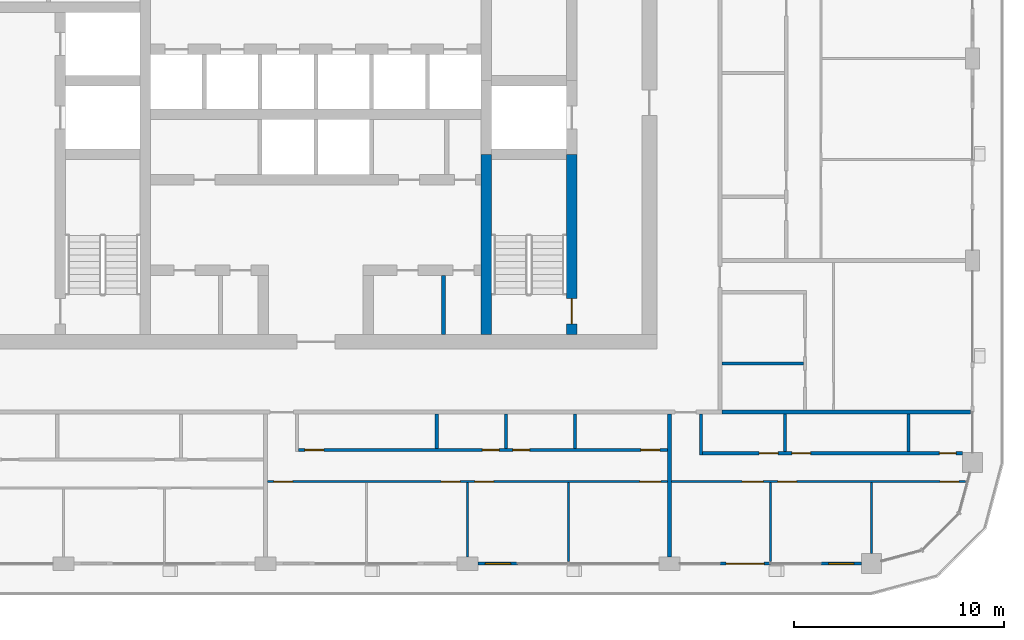
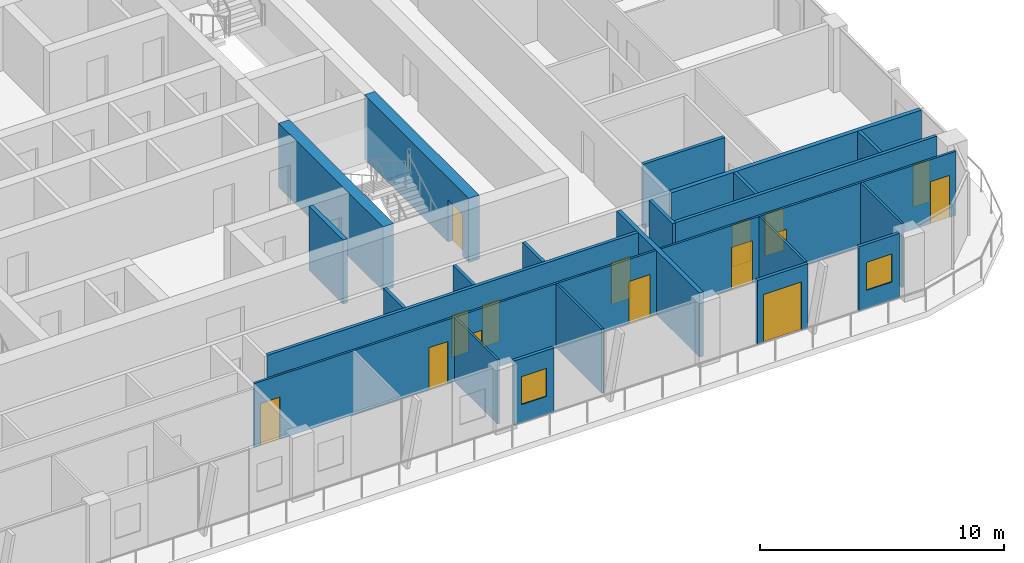
# One storey, part 12 of 23: 23 walls, 16 doors, 2 windows, 18 openings.
"""IFC4 building model written with IfcOpenShell, lengths in metres."""

from ifc_helpers import new_model, si_unit, direction, frame, frame_2d, origin, place, context, subcontext, project, spatial, rectangle, extrude, material, layer, layer_set, type_object, element, fill, save


model = new_model("IFC4")

# Units and contexts
model_context = context("Model", 3, precision=1e-05, world=origin(), true_north=direction((0.0, 1.0)))
body_context = subcontext(model_context, "Body", "Model", "MODEL_VIEW")
ifc_project = project(units=[si_unit("LENGTHUNIT", "METRE"), si_unit("AREAUNIT", "SQUARE_METRE"), si_unit("VOLUMEUNIT", "CUBIC_METRE"), si_unit("PLANEANGLEUNIT", "RADIAN"), si_unit("MASSUNIT", "GRAM", prefix="KILO")], contexts=[model_context])

# Site, building, storey
site_placement = place(None, origin())
site = spatial("IfcSite", under=ifc_project, at=site_placement, CompositionType="ELEMENT")
building_placement = place(site_placement, origin())
building = spatial("IfcBuilding", under=site, at=building_placement, Name="Madar Terraces", CompositionType="ELEMENT")
storey_placement = place(building_placement, frame((0.0, 0.0, 226.300048828125)))
storey = spatial("IfcBuildingStorey", under=building, at=storey_placement, Name="L59", CompositionType="ELEMENT", Elevation=226.300048828125)

# Wall
ifc_material_1 = material(Name="Concrete C60/75", Category="concrete")
ifc_layer_1 = layer(ifc_material_1, 0.5)
ifc_layer_set_1 = layer_set([ifc_layer_1], Name="Concrete C60/75 (CIW4 RC wall 500)")
wall_type_1 = type_object("IfcWallType", Name="CIW4 RC wall 500", PredefinedType="SHEAR", material=ifc_layer_set_1)
wall_1_placement = place(storey_placement, frame((39.300048828125, 15.699951171875, 0.0), z_axis=(0.0, 0.0, 1.0), x_axis=(0.0, 1.0, 0.0)))
element("IfcWall", 1, at=wall_1_placement, inside=storey, type_object=wall_type_1, Name="CORE SHAFT WALL", PredefinedType="SHEAR", context=body_context, shape_type="SweptSolid", body=[
    extrude(rectangle(XDim=8.550048828125, YDim=0.5, at=frame_2d((4.27490234375, 0.0))), origin(), (0.0, 0.0, 1.0), 3.199951171875),
])

# Wall, opening, door
wall_2_placement = place(storey_placement, frame((43.35009765625, 15.699951171875, 0.0), z_axis=(0.0, 0.0, 1.0), x_axis=(0.0, 1.0, 0.0)))
wall_2 = element("IfcWall", 2, at=wall_2_placement, inside=storey, type_object=wall_type_1, Name="CORE SHAFT WALL", PredefinedType="SHEAR", context=body_context, shape_type="SweptSolid", body=[
    extrude(rectangle(XDim=8.550048828125, YDim=0.5, at=frame_2d((4.27490234375, 0.0))), origin(), (0.0, 0.0, 1.0), 3.199951171875),
])
opening_1_placement = place(wall_2_placement, frame((0.5, 0.0, 0.0)))
opening_1 = element("IfcOpeningElement", 3, at=opening_1_placement, cuts=wall_2, Name="Opening SD1", PredefinedType="OPENING", context=body_context, shape_type="SweptSolid", body=[
    extrude(rectangle(XDim=1.199951171875, YDim=2.10009765625, at=frame_2d((0.60009765625, 1.050048828125))), frame((0.0, 0.260009765625, 0.0), z_axis=(0.0, -1.0, 0.0), x_axis=(1.0, 0.0, 0.0)), (0.0, 0.0, 1.0), 0.52001953125),
])
ifc_material_2 = material(Name="Steel door leaf", Category="steel")
door_type_1 = type_object("IfcDoorType", Name="Stair door 1200 x 2100", OperationType="NOTDEFINED", PredefinedType="DOOR", material=ifc_material_2)
door_1_placement = place(opening_1_placement, origin())
door_1 = element("IfcDoor", 4, at=door_1_placement, inside=storey, type_object=door_type_1, Name="STAIR DOOR", OperationType="SINGLE_SWING_RIGHT", OverallHeight=2.10009765625, OverallWidth=1.199951171875, PredefinedType="DOOR", context=body_context, shape_type="SweptSolid", body=[
    extrude(rectangle(XDim=1.199951171875, YDim=2.10009765625, at=frame_2d((0.60009765625, 1.050048828125))), frame((0.0, 0.02490234375, 0.0), z_axis=(0.0, -1.0, 0.0), x_axis=(1.0, 0.0, 0.0)), (0.0, 0.0, 1.0), 0.050048828125),
])
fill(opening_1, door_1)

# Wall
ifc_material_3 = material(Name="Masonry blockwork", Category="masonry")
ifc_layer_2 = layer(ifc_material_3, 0.199951171875)
ifc_layer_set_2 = layer_set([ifc_layer_2], Name="Core partition 200 blockwork")
wall_type_2 = type_object("IfcWallType", Name="Core partition 200 blockwork", PredefinedType="PARTITIONING", material=ifc_layer_set_2)
wall_3_placement = place(storey_placement, frame((37.264892578125, 15.699951171875, 0.0), z_axis=(0.0, 0.0, 1.0), x_axis=(0.0, 1.0, 0.0)))
element("IfcWall", 5, at=wall_3_placement, inside=storey, type_object=wall_type_2, Name="SERVICE ROOM PARTITION", PredefinedType="PARTITIONING", context=body_context, shape_type="SweptSolid", body=[
    extrude(rectangle(XDim=2.800048828125, YDim=0.199951171875, at=frame_2d((1.39990234375, 0.0))), origin(), (0.0, 0.0, 1.0), 3.199951171875),
])

# Wall, opening, window
ifc_material_4 = material(Name="Aluminium composite panel, black, over insulated backing", Category="aluminium")
ifc_layer_3 = layer(ifc_material_4, 0.14990234375)
ifc_layer_set_3 = layer_set([ifc_layer_3], Name="Facade bay panel 150")
wall_type_3 = type_object("IfcWallType", Name="Facade bay panel 150", PredefinedType="SOLIDWALL", material=ifc_layer_set_3)
wall_4_placement = place(storey_placement, frame((38.89990234375, 4.800048828125, 0.0), z_axis=(0.0, 0.0, 1.0), x_axis=(1.0, 0.0, 0.0)))
wall_4 = element("IfcWall", 6, at=wall_4_placement, inside=storey, type_object=wall_type_3, Name="Facade bay panel", PredefinedType="SOLIDWALL", context=body_context, shape_type="SweptSolid", body=[
    extrude(rectangle(XDim=1.900146484375, YDim=0.14990234375, at=frame_2d((0.9501953125, 0.0))), origin(), (0.0, 0.0, 1.0), 3.199951171875),
])
opening_2_placement = place(wall_4_placement, frame((0.35009765625, 0.0, 0.89990234375)))
opening_2 = element("IfcOpeningElement", 7, at=opening_2_placement, cuts=wall_4, Name="Opening W1", PredefinedType="OPENING", context=body_context, shape_type="SweptSolid", body=[
    extrude(rectangle(XDim=1.199951171875, YDim=1.39990234375, at=frame_2d((0.60009765625, 0.699951171875))), frame((0.0, 0.0849609375, 0.0), z_axis=(0.0, -1.0, 0.0), x_axis=(1.0, 0.0, 0.0)), (0.0, 0.0, 1.0), 0.169921875),
])
ifc_material_5 = material(Name="Glass, clear, with black aluminium frame", Category="aluminium")
window_type = type_object("IfcWindowType", Name="Vent window 1200 x 1400", PartitioningType="SINGLE_PANEL", PredefinedType="WINDOW", material=ifc_material_5)
window_1_placement = place(opening_2_placement, origin())
window_1 = element("IfcWindow", 8, at=window_1_placement, inside=storey, type_object=window_type, Name="Operable vent window", OverallHeight=1.39990234375, OverallWidth=1.199951171875, PartitioningType="SINGLE_PANEL", PredefinedType="WINDOW", context=body_context, shape_type="SweptSolid", body=[
    extrude(rectangle(XDim=1.199951171875, YDim=1.39990234375, at=frame_2d((0.60009765625, 0.699951171875))), frame((0.0, 0.030029296875, 0.0), z_axis=(0.0, -1.0, 0.0), x_axis=(1.0, 0.0, 0.0)), (0.0, 0.0, 1.0), 0.06005859375),
])
fill(opening_2, window_1)

# Wall, opening, door
wall_5_placement = place(storey_placement, frame((50.39990234375, 4.800048828125, 0.0), z_axis=(0.0, 0.0, 1.0), x_axis=(1.0, 0.0, 0.0)))
wall_5 = element("IfcWall", 9, at=wall_5_placement, inside=storey, type_object=wall_type_3, Name="Facade bay panel", PredefinedType="SOLIDWALL", context=body_context, shape_type="SweptSolid", body=[
    extrude(rectangle(XDim=2.400146484375, YDim=0.14990234375, at=frame_2d((1.2001953125, 0.0))), origin(), (0.0, 0.0, 1.0), 3.199951171875),
])
opening_3_placement = place(wall_5_placement, frame((0.300048828125, 0.0, 0.0)))
opening_3 = element("IfcOpeningElement", 10, at=opening_3_placement, cuts=wall_5, Name="Opening ED1", PredefinedType="OPENING", context=body_context, shape_type="SweptSolid", body=[
    extrude(rectangle(XDim=1.800048828125, YDim=2.39990234375, at=frame_2d((0.89990234375, 1.199951171875))), frame((0.0, 0.0849609375, 0.0), z_axis=(0.0, -1.0, 0.0), x_axis=(1.0, 0.0, 0.0)), (0.0, 0.0, 1.0), 0.169921875),
])
ifc_material_6 = material(Name="Glass, clear, with black aluminium frame", Category="aluminium")
door_type_2 = type_object("IfcDoorType", Name="Balcony and terrace sliding door 1800 x 2400", OperationType="SLIDING_TO_LEFT", PredefinedType="DOOR", material=ifc_material_6)
door_2_placement = place(opening_3_placement, origin())
door_2 = element("IfcDoor", 11, at=door_2_placement, inside=storey, type_object=door_type_2, Name="Balcony door", OperationType="SLIDING_TO_RIGHT", OverallHeight=2.39990234375, OverallWidth=1.800048828125, PredefinedType="DOOR", context=body_context, shape_type="SweptSolid", body=[
    extrude(rectangle(XDim=1.800048828125, YDim=2.39990234375, at=frame_2d((0.89990234375, 1.199951171875))), frame((0.0, 0.02490234375, 0.0), z_axis=(0.0, -1.0, 0.0), x_axis=(1.0, 0.0, 0.0)), (0.0, 0.0, 1.0), 0.050048828125),
])
fill(opening_3, door_2)

# Wall, opening, window
wall_6_placement = place(storey_placement, frame((55.199951171875, 4.800048828125, 0.0), z_axis=(0.0, 0.0, 1.0), x_axis=(1.0, 0.0, 0.0)))
wall_6 = element("IfcWall", 12, at=wall_6_placement, inside=storey, type_object=wall_type_3, Name="Facade bay panel", PredefinedType="SOLIDWALL", context=body_context, shape_type="SweptSolid", body=[
    extrude(rectangle(XDim=1.925048828125, YDim=0.14990234375, at=frame_2d((0.96240234375, 0.0))), origin(), (0.0, 0.0, 1.0), 3.199951171875),
])
opening_4_placement = place(wall_6_placement, frame((0.362548828125, 0.0, 0.89990234375)))
opening_4 = element("IfcOpeningElement", 13, at=opening_4_placement, cuts=wall_6, Name="Opening W1", PredefinedType="OPENING", context=body_context, shape_type="SweptSolid", body=[
    extrude(rectangle(XDim=1.199951171875, YDim=1.39990234375, at=frame_2d((0.60009765625, 0.699951171875))), frame((0.0, 0.0849609375, 0.0), z_axis=(0.0, -1.0, 0.0), x_axis=(1.0, 0.0, 0.0)), (0.0, 0.0, 1.0), 0.169921875),
])
window_2_placement = place(opening_4_placement, origin())
window_2 = element("IfcWindow", 14, at=window_2_placement, inside=storey, type_object=window_type, Name="Operable vent window", OverallHeight=1.39990234375, OverallWidth=1.199951171875, PartitioningType="SINGLE_PANEL", PredefinedType="WINDOW", context=body_context, shape_type="SweptSolid", body=[
    extrude(rectangle(XDim=1.199951171875, YDim=1.39990234375, at=frame_2d((0.60009765625, 0.699951171875))), frame((0.0, 0.030029296875, 0.0), z_axis=(0.0, -1.0, 0.0), x_axis=(1.0, 0.0, 0.0)), (0.0, 0.0, 1.0), 0.06005859375),
])
fill(opening_4, window_2)

# Walls
ifc_material_7 = material(Name="Gypsum board on steel studs", Category="steel")
ifc_layer_4 = layer(ifc_material_7, 0.10009765625)
ifc_layer_set_4 = layer_set([ifc_layer_4], Name="Flat partition 100")
wall_type_4 = type_object("IfcWallType", Name="Flat partition 100", PredefinedType="PARTITIONING", material=ifc_layer_set_4)
wall_7_placement = place(storey_placement, frame((38.39990234375, 8.64990234375, 0.0), z_axis=(0.0, 0.0, 1.0), x_axis=(0.0, -1.0, 0.0)))
element("IfcWall", 15, at=wall_7_placement, inside=storey, type_object=wall_type_4, Name="Flat partition 100", PredefinedType="PARTITIONING", context=body_context, shape_type="SweptSolid", body=[
    extrude(rectangle(XDim=3.52490234375, YDim=0.10009765625, at=frame_2d((1.762451171875, 0.0))), origin(), (0.0, 0.0, 1.0), 3.199951171875),
])
wall_8_placement = place(storey_placement, frame((43.199951171875, 8.64990234375, 0.0), z_axis=(0.0, 0.0, 1.0), x_axis=(0.0, -1.0, 0.0)))
element("IfcWall", 16, at=wall_8_placement, inside=storey, type_object=wall_type_4, Name="Flat partition 100", PredefinedType="PARTITIONING", context=body_context, shape_type="SweptSolid", body=[
    extrude(rectangle(XDim=3.75, YDim=0.10009765625, at=frame_2d((1.875, 0.0))), origin(), (0.0, 0.0, 1.0), 3.199951171875),
])

# Wall, openings, doors
wall_9_placement = place(storey_placement, frame((47.89990234375, 8.699951171875, 0.0), z_axis=(0.0, 0.0, 1.0), x_axis=(-1.0, 0.0, 0.0)))
wall_9 = element("IfcWall", 17, at=wall_9_placement, inside=storey, type_object=wall_type_4, Name="Flat partition 100", PredefinedType="PARTITIONING", context=body_context, shape_type="SweptSolid", body=[
    extrude(rectangle(XDim=19.0, YDim=0.10009765625, at=frame_2d((9.5, 0.0))), origin(), (0.0, 0.0, 1.0), 3.199951171875),
])
opening_5_placement = place(wall_9_placement, frame((17.800048828125, 0.0, 0.0)))
opening_5 = element("IfcOpeningElement", 18, at=opening_5_placement, cuts=wall_9, Name="Opening D2", PredefinedType="OPENING", context=body_context, shape_type="SweptSolid", body=[
    extrude(rectangle(XDim=0.89990234375, YDim=2.10009765625, at=frame_2d((0.449951171875, 1.050048828125))), frame((0.0, 0.06005859375, 0.0), z_axis=(0.0, -1.0, 0.0), x_axis=(1.0, 0.0, 0.0)), (0.0, 0.0, 1.0), 0.1201171875),
])
opening_6_placement = place(wall_9_placement, frame((9.85009765625, 0.0, 0.0)))
opening_6 = element("IfcOpeningElement", 19, at=opening_6_placement, cuts=wall_9, Name="Opening D2", PredefinedType="OPENING", context=body_context, shape_type="SweptSolid", body=[
    extrude(rectangle(XDim=0.89990234375, YDim=2.10009765625, at=frame_2d((0.449951171875, 1.050048828125))), frame((0.0, 0.06005859375, 0.0), z_axis=(0.0, -1.0, 0.0), x_axis=(1.0, 0.0, 0.0)), (0.0, 0.0, 1.0), 0.1201171875),
])
opening_7_placement = place(wall_9_placement, frame((8.25, 0.0, 0.0)))
opening_7 = element("IfcOpeningElement", 20, at=opening_7_placement, cuts=wall_9, Name="Opening D2", PredefinedType="OPENING", context=body_context, shape_type="SweptSolid", body=[
    extrude(rectangle(XDim=0.89990234375, YDim=2.10009765625, at=frame_2d((0.449951171875, 1.050048828125))), frame((0.0, 0.06005859375, 0.0), z_axis=(0.0, -1.0, 0.0), x_axis=(1.0, 0.0, 0.0)), (0.0, 0.0, 1.0), 0.1201171875),
])
opening_8_placement = place(wall_9_placement, frame((0.300048828125, 0.0, 0.0)))
opening_8 = element("IfcOpeningElement", 21, at=opening_8_placement, cuts=wall_9, Name="Opening D3", PredefinedType="OPENING", context=body_context, shape_type="SweptSolid", body=[
    extrude(rectangle(XDim=1.0, YDim=2.10009765625, at=frame_2d((0.5, 1.050048828125))), frame((0.0, 0.06005859375, 0.0), z_axis=(0.0, -1.0, 0.0), x_axis=(1.0, 0.0, 0.0)), (0.0, 0.0, 1.0), 0.1201171875),
])
ifc_material_8 = material(Name="Timber door leaf", Category="wood")
door_type_3 = type_object("IfcDoorType", Name="Flat living room door 1000", OperationType="NOTDEFINED", PredefinedType="DOOR", material=ifc_material_8)
door_3_placement = place(opening_8_placement, origin())
door_3 = element("IfcDoor", 22, at=door_3_placement, inside=storey, type_object=door_type_3, Name="Flat living room door 1000", OperationType="SINGLE_SWING_LEFT", OverallHeight=2.10009765625, OverallWidth=1.0, PredefinedType="DOOR", context=body_context, shape_type="SweptSolid", body=[
    extrude(rectangle(XDim=1.0, YDim=2.10009765625, at=frame_2d((0.5, 1.050048828125))), frame((0.0, 0.02490234375, 0.0), z_axis=(0.0, -1.0, 0.0), x_axis=(1.0, 0.0, 0.0)), (0.0, 0.0, 1.0), 0.050048828125),
])
fill(opening_8, door_3)
ifc_material_9 = material(Name="Timber door leaf", Category="wood")
door_type_4 = type_object("IfcDoorType", Name="Flat room door 900", OperationType="NOTDEFINED", PredefinedType="DOOR", material=ifc_material_9)
door_4_placement = place(opening_5_placement, origin())
door_4 = element("IfcDoor", 23, at=door_4_placement, inside=storey, type_object=door_type_4, Name="Flat room door 900", OperationType="SINGLE_SWING_RIGHT", OverallHeight=2.10009765625, OverallWidth=0.89990234375, PredefinedType="DOOR", context=body_context, shape_type="SweptSolid", body=[
    extrude(rectangle(XDim=0.89990234375, YDim=2.10009765625, at=frame_2d((0.449951171875, 1.050048828125))), frame((0.0, 0.02490234375, 0.0), z_axis=(0.0, -1.0, 0.0), x_axis=(1.0, 0.0, 0.0)), (0.0, 0.0, 1.0), 0.050048828125),
])
fill(opening_5, door_4)
door_5_placement = place(opening_6_placement, origin())
door_5 = element("IfcDoor", 24, at=door_5_placement, inside=storey, type_object=door_type_4, Name="Flat room door 900", OperationType="SINGLE_SWING_LEFT", OverallHeight=2.10009765625, OverallWidth=0.89990234375, PredefinedType="DOOR", context=body_context, shape_type="SweptSolid", body=[
    extrude(rectangle(XDim=0.89990234375, YDim=2.10009765625, at=frame_2d((0.449951171875, 1.050048828125))), frame((0.0, 0.02490234375, 0.0), z_axis=(0.0, -1.0, 0.0), x_axis=(1.0, 0.0, 0.0)), (0.0, 0.0, 1.0), 0.050048828125),
])
fill(opening_6, door_5)
door_6_placement = place(opening_7_placement, origin())
door_6 = element("IfcDoor", 25, at=door_6_placement, inside=storey, type_object=door_type_4, Name="Flat room door 900", OperationType="SINGLE_SWING_RIGHT", OverallHeight=2.10009765625, OverallWidth=0.89990234375, PredefinedType="DOOR", context=body_context, shape_type="SweptSolid", body=[
    extrude(rectangle(XDim=0.89990234375, YDim=2.10009765625, at=frame_2d((0.449951171875, 1.050048828125))), frame((0.0, 0.02490234375, 0.0), z_axis=(0.0, -1.0, 0.0), x_axis=(1.0, 0.0, 0.0)), (0.0, 0.0, 1.0), 0.050048828125),
])
fill(opening_7, door_6)

# Walls
wall_10_placement = place(storey_placement, frame((52.800048828125, 8.64990234375, 0.0), z_axis=(0.0, 0.0, 1.0), x_axis=(0.0, -1.0, 0.0)))
element("IfcWall", 26, at=wall_10_placement, inside=storey, type_object=wall_type_4, Name="Flat partition 100", PredefinedType="PARTITIONING", context=body_context, shape_type="SweptSolid", body=[
    extrude(rectangle(XDim=3.75, YDim=0.10009765625, at=frame_2d((1.875, 0.0))), origin(), (0.0, 0.0, 1.0), 3.199951171875),
])
wall_11_placement = place(storey_placement, frame((57.60009765625, 8.64990234375, 0.0), z_axis=(0.0, 0.0, 1.0), x_axis=(0.0, -1.0, 0.0)))
element("IfcWall", 27, at=wall_11_placement, inside=storey, type_object=wall_type_4, Name="Flat partition 100", PredefinedType="PARTITIONING", context=body_context, shape_type="SweptSolid", body=[
    extrude(rectangle(XDim=3.375, YDim=0.10009765625, at=frame_2d((1.6875, 0.0))), origin(), (0.0, 0.0, 1.0), 3.199951171875),
])

# Wall, openings, doors
wall_12_placement = place(storey_placement, frame((62.058837890625, 8.699951171875, 0.0), z_axis=(0.0, 0.0, 1.0), x_axis=(-1.0, 0.0, 0.0)))
wall_12 = element("IfcWall", 28, at=wall_12_placement, inside=storey, type_object=wall_type_4, Name="Flat partition 100", PredefinedType="PARTITIONING", context=body_context, shape_type="SweptSolid", body=[
    extrude(rectangle(XDim=13.958740234375, YDim=0.10009765625, at=frame_2d((6.9794921875, 0.0))), origin(), (0.0, 0.0, 1.0), 3.199951171875),
])
opening_9_placement = place(wall_12_placement, frame((9.60888671875, 0.0, 0.0)))
opening_9 = element("IfcOpeningElement", 29, at=opening_9_placement, cuts=wall_12, Name="Opening D3", PredefinedType="OPENING", context=body_context, shape_type="SweptSolid", body=[
    extrude(rectangle(XDim=1.0, YDim=2.10009765625, at=frame_2d((0.5, 1.050048828125))), frame((0.0, 0.06005859375, 0.0), z_axis=(0.0, -1.0, 0.0), x_axis=(1.0, 0.0, 0.0)), (0.0, 0.0, 1.0), 0.1201171875),
])
opening_10_placement = place(wall_12_placement, frame((8.0087890625, 0.0, 0.0)))
opening_10 = element("IfcOpeningElement", 30, at=opening_10_placement, cuts=wall_12, Name="Opening D2", PredefinedType="OPENING", context=body_context, shape_type="SweptSolid", body=[
    extrude(rectangle(XDim=0.89990234375, YDim=2.10009765625, at=frame_2d((0.449951171875, 1.050048828125))), frame((0.0, 0.06005859375, 0.0), z_axis=(0.0, -1.0, 0.0), x_axis=(1.0, 0.0, 0.0)), (0.0, 0.0, 1.0), 0.1201171875),
])
opening_11_placement = place(wall_12_placement, frame((0.300048828125, 0.0, 0.0)))
opening_11 = element("IfcOpeningElement", 31, at=opening_11_placement, cuts=wall_12, Name="Opening D2", PredefinedType="OPENING", context=body_context, shape_type="SweptSolid", body=[
    extrude(rectangle(XDim=0.89990234375, YDim=2.10009765625, at=frame_2d((0.449951171875, 1.050048828125))), frame((0.0, 0.06005859375, 0.0), z_axis=(0.0, -1.0, 0.0), x_axis=(1.0, 0.0, 0.0)), (0.0, 0.0, 1.0), 0.1201171875),
])
door_7_placement = place(opening_9_placement, origin())
door_7 = element("IfcDoor", 32, at=door_7_placement, inside=storey, type_object=door_type_3, Name="Flat living room door 1000", OperationType="SINGLE_SWING_LEFT", OverallHeight=2.10009765625, OverallWidth=1.0, PredefinedType="DOOR", context=body_context, shape_type="SweptSolid", body=[
    extrude(rectangle(XDim=1.0, YDim=2.10009765625, at=frame_2d((0.5, 1.050048828125))), frame((0.0, 0.02490234375, 0.0), z_axis=(0.0, -1.0, 0.0), x_axis=(1.0, 0.0, 0.0)), (0.0, 0.0, 1.0), 0.050048828125),
])
fill(opening_9, door_7)
door_8_placement = place(opening_10_placement, origin())
door_8 = element("IfcDoor", 33, at=door_8_placement, inside=storey, type_object=door_type_4, Name="Flat room door 900", OperationType="SINGLE_SWING_RIGHT", OverallHeight=2.10009765625, OverallWidth=0.89990234375, PredefinedType="DOOR", context=body_context, shape_type="SweptSolid", body=[
    extrude(rectangle(XDim=0.89990234375, YDim=2.10009765625, at=frame_2d((0.449951171875, 1.050048828125))), frame((0.0, 0.02490234375, 0.0), z_axis=(0.0, -1.0, 0.0), x_axis=(1.0, 0.0, 0.0)), (0.0, 0.0, 1.0), 0.050048828125),
])
fill(opening_10, door_8)
door_9_placement = place(opening_11_placement, origin())
door_9 = element("IfcDoor", 34, at=door_9_placement, inside=storey, type_object=door_type_4, Name="Flat room door 900", OperationType="SINGLE_SWING_LEFT", OverallHeight=2.10009765625, OverallWidth=0.89990234375, PredefinedType="DOOR", context=body_context, shape_type="SweptSolid", body=[
    extrude(rectangle(XDim=0.89990234375, YDim=2.10009765625, at=frame_2d((0.449951171875, 1.050048828125))), frame((0.0, 0.02490234375, 0.0), z_axis=(0.0, -1.0, 0.0), x_axis=(1.0, 0.0, 0.0)), (0.0, 0.0, 1.0), 0.050048828125),
])
fill(opening_11, door_9)

# Walls
ifc_material_10 = material(Name="Lightweight blockwork", Category="masonry")
ifc_layer_5 = layer(ifc_material_10, 0.199951171875)
ifc_layer_set_5 = layer_set([ifc_layer_5], Name="Flat party and entrance wall 200")
wall_type_5 = type_object("IfcWallType", Name="Flat party and entrance wall 200", PredefinedType="PARTITIONING", material=ifc_layer_set_5)
wall_13_placement = place(storey_placement, frame((48.0, 11.89990234375, 0.0), z_axis=(0.0, 0.0, 1.0), x_axis=(0.0, -1.0, 0.0)))
element("IfcWall", 35, at=wall_13_placement, inside=storey, type_object=wall_type_5, Name="Flat party and entrance wall 200", PredefinedType="PARTITIONING", context=body_context, shape_type="SweptSolid", body=[
    extrude(rectangle(XDim=6.77490234375, YDim=0.199951171875, at=frame_2d((3.387451171875, 0.0))), origin(), (0.0, 0.0, 1.0), 3.199951171875),
])
wall_14_placement = place(storey_placement, frame((50.5, 12.0, 0.0), z_axis=(0.0, 0.0, 1.0), x_axis=(1.0, 0.0, 0.0)))
element("IfcWall", 36, at=wall_14_placement, inside=storey, type_object=wall_type_5, Name="Flat party and entrance wall 200", PredefinedType="PARTITIONING", context=body_context, shape_type="SweptSolid", body=[
    extrude(rectangle(XDim=11.800048828125, YDim=0.199951171875, at=frame_2d((5.89990234375, 0.0))), origin(), (0.0, 0.0, 1.0), 3.199951171875),
])
ifc_material_11 = material(Name="Lightweight blockwork", Category="masonry")
ifc_layer_6 = layer(ifc_material_11, 0.14990234375)
ifc_layer_set_6 = layer_set([ifc_layer_6], Name="Flat wet-room partition 150")
wall_type_6 = type_object("IfcWallType", Name="Flat wet-room partition 150", PredefinedType="PARTITIONING", material=ifc_layer_set_6)
for number, where, z_axis, x_axis, name in (
    (37, (36.947021484375, 11.89990234375, 0.0), (0.0, 0.0, 1.0), (0.0, -1.0, 0.0), "Flat wet-room partition 150"),
    (38, (40.23291015625, 11.89990234375, 0.0), (0.0, 0.0, 1.0), (0.0, -1.0, 0.0), "Flat wet-room partition 150"),
    (39, (43.518798828125, 11.89990234375, 0.0), (0.0, 0.0, 1.0), (0.0, -1.0, 0.0), "Flat wet-room partition 150"),
):
    element("IfcWall", number, at=place(storey_placement, frame(where, z_axis=z_axis, x_axis=x_axis)), inside=storey, type_object=wall_type_6, Name=name, PredefinedType="PARTITIONING", context=body_context, shape_type="SweptSolid", body=[
        extrude(rectangle(XDim=1.625, YDim=0.14990234375, at=frame_2d((0.8125, 0.0))), origin(), (0.0, 0.0, 1.0), 3.199951171875),
    ])

# Wall, openings, doors
wall_15_placement = place(storey_placement, frame((30.375, 10.199951171875, 0.0), z_axis=(0.0, 0.0, 1.0), x_axis=(1.0, 0.0, 0.0)))
wall_15 = element("IfcWall", 40, at=wall_15_placement, inside=storey, type_object=wall_type_6, Name="Flat wet-room partition 150", PredefinedType="PARTITIONING", context=body_context, shape_type="SweptSolid", body=[
    extrude(rectangle(XDim=17.52490234375, YDim=0.14990234375, at=frame_2d((8.762451171875, 0.0))), origin(), (0.0, 0.0, 1.0), 3.199951171875),
])
opening_12_placement = place(wall_15_placement, frame((0.300048828125, 0.0, 0.0)))
opening_12 = element("IfcOpeningElement", 41, at=opening_12_placement, cuts=wall_15, Name="Opening D2", PredefinedType="OPENING", context=body_context, shape_type="SweptSolid", body=[
    extrude(rectangle(XDim=0.89990234375, YDim=2.10009765625, at=frame_2d((0.449951171875, 1.050048828125))), frame((0.0, 0.0849609375, 0.0), z_axis=(0.0, -1.0, 0.0), x_axis=(1.0, 0.0, 0.0)), (0.0, 0.0, 1.0), 0.169921875),
])
opening_13_placement = place(wall_15_placement, frame((8.73291015625, 0.0, 0.0)))
opening_13 = element("IfcOpeningElement", 42, at=opening_13_placement, cuts=wall_15, Name="Opening D4", PredefinedType="OPENING", context=body_context, shape_type="SweptSolid", body=[
    extrude(rectangle(XDim=0.800048828125, YDim=2.10009765625, at=frame_2d((0.39990234375, 1.050048828125))), frame((0.0, 0.0849609375, 0.0), z_axis=(0.0, -1.0, 0.0), x_axis=(1.0, 0.0, 0.0)), (0.0, 0.0, 1.0), 0.169921875),
])
opening_14_placement = place(wall_15_placement, frame((10.182861328125, 0.0, 0.0)))
opening_14 = element("IfcOpeningElement", 43, at=opening_14_placement, cuts=wall_15, Name="Opening D7", PredefinedType="OPENING", context=body_context, shape_type="SweptSolid", body=[
    extrude(rectangle(XDim=0.800048828125, YDim=2.10009765625, at=frame_2d((0.39990234375, 1.050048828125))), frame((0.0, 0.0849609375, 0.0), z_axis=(0.0, -1.0, 0.0), x_axis=(1.0, 0.0, 0.0)), (0.0, 0.0, 1.0), 0.169921875),
])
opening_15_placement = place(wall_15_placement, frame((16.27490234375, 0.0, 0.0)))
opening_15 = element("IfcOpeningElement", 44, at=opening_15_placement, cuts=wall_15, Name="Opening D5", PredefinedType="OPENING", context=body_context, shape_type="SweptSolid", body=[
    extrude(rectangle(XDim=0.89990234375, YDim=2.10009765625, at=frame_2d((0.449951171875, 1.050048828125))), frame((0.0, 0.0849609375, 0.0), z_axis=(0.0, -1.0, 0.0), x_axis=(1.0, 0.0, 0.0)), (0.0, 0.0, 1.0), 0.169921875),
])
ifc_material_12 = material(Name="Timber door leaf", Category="wood")
door_type_5 = type_object("IfcDoorType", Name="Flat accessible bathroom door 900", OperationType="NOTDEFINED", PredefinedType="DOOR", material=ifc_material_12)
door_10_placement = place(opening_15_placement, origin())
door_10 = element("IfcDoor", 45, at=door_10_placement, inside=storey, type_object=door_type_5, Name="Flat accessible bathroom door 900", OperationType="SINGLE_SWING_RIGHT", OverallHeight=2.10009765625, OverallWidth=0.89990234375, PredefinedType="DOOR", context=body_context, shape_type="SweptSolid", body=[
    extrude(rectangle(XDim=0.89990234375, YDim=2.10009765625, at=frame_2d((0.449951171875, 1.050048828125))), frame((0.0, 0.02490234375, 0.0), z_axis=(0.0, -1.0, 0.0), x_axis=(1.0, 0.0, 0.0)), (0.0, 0.0, 1.0), 0.050048828125),
])
fill(opening_15, door_10)
ifc_material_13 = material(Name="Timber door leaf", Category="wood")
door_type_6 = type_object("IfcDoorType", Name="Flat bathroom door 800", OperationType="NOTDEFINED", PredefinedType="DOOR", material=ifc_material_13)
door_11_placement = place(opening_13_placement, origin())
door_11 = element("IfcDoor", 46, at=door_11_placement, inside=storey, type_object=door_type_6, Name="Flat bathroom door 800", OperationType="SINGLE_SWING_RIGHT", OverallHeight=2.10009765625, OverallWidth=0.800048828125, PredefinedType="DOOR", context=body_context, shape_type="SweptSolid", body=[
    extrude(rectangle(XDim=0.800048828125, YDim=2.10009765625, at=frame_2d((0.39990234375, 1.050048828125))), frame((0.0, 0.02490234375, 0.0), z_axis=(0.0, -1.0, 0.0), x_axis=(1.0, 0.0, 0.0)), (0.0, 0.0, 1.0), 0.050048828125),
])
fill(opening_13, door_11)
door_12_placement = place(opening_12_placement, origin())
door_12 = element("IfcDoor", 47, at=door_12_placement, inside=storey, type_object=door_type_4, Name="Flat room door 900", OperationType="SINGLE_SWING_LEFT", OverallHeight=2.10009765625, OverallWidth=0.89990234375, PredefinedType="DOOR", context=body_context, shape_type="SweptSolid", body=[
    extrude(rectangle(XDim=0.89990234375, YDim=2.10009765625, at=frame_2d((0.449951171875, 1.050048828125))), frame((0.0, 0.02490234375, 0.0), z_axis=(0.0, -1.0, 0.0), x_axis=(1.0, 0.0, 0.0)), (0.0, 0.0, 1.0), 0.050048828125),
])
fill(opening_12, door_12)
ifc_material_14 = material(Name="Timber door leaf", Category="wood")
door_type_7 = type_object("IfcDoorType", Name="Flat utility door 800", OperationType="NOTDEFINED", PredefinedType="DOOR", material=ifc_material_14)
door_13_placement = place(opening_14_placement, origin())
door_13 = element("IfcDoor", 48, at=door_13_placement, inside=storey, type_object=door_type_7, Name="Flat utility door 800", OperationType="SINGLE_SWING_LEFT", OverallHeight=2.10009765625, OverallWidth=0.800048828125, PredefinedType="DOOR", context=body_context, shape_type="SweptSolid", body=[
    extrude(rectangle(XDim=0.800048828125, YDim=2.10009765625, at=frame_2d((0.39990234375, 1.050048828125))), frame((0.0, 0.02490234375, 0.0), z_axis=(0.0, -1.0, 0.0), x_axis=(1.0, 0.0, 0.0)), (0.0, 0.0, 1.0), 0.050048828125),
])
fill(opening_14, door_13)

# Walls
for number, where, z_axis, x_axis, name in (
    (49, (53.490478515625, 11.89990234375, 0.0), (0.0, 0.0, 1.0), (0.0, -1.0, 0.0), "Flat wet-room partition 150"),
    (50, (59.363525390625, 11.89990234375, 0.0), (0.0, 0.0, 1.0), (0.0, -1.0, 0.0), "Flat wet-room partition 150"),
):
    element("IfcWall", number, at=place(storey_placement, frame(where, z_axis=z_axis, x_axis=x_axis)), inside=storey, type_object=wall_type_6, Name=name, PredefinedType="PARTITIONING", context=body_context, shape_type="SweptSolid", body=[
        extrude(rectangle(XDim=1.77490234375, YDim=0.14990234375, at=frame_2d((0.887451171875, 0.0))), origin(), (0.0, 0.0, 1.0), 3.199951171875),
    ])
wall_16_placement = place(storey_placement, frame((49.5, 11.89990234375, 0.0), z_axis=(0.0, 0.0, 1.0), x_axis=(0.0, -1.0, 0.0)))
element("IfcWall", 51, at=wall_16_placement, inside=storey, type_object=wall_type_6, Name="Flat wet-room partition 150", PredefinedType="PARTITIONING", context=body_context, shape_type="SweptSolid", body=[
    extrude(rectangle(XDim=1.9248046875, YDim=0.14990234375, at=frame_2d((0.96240234375, 0.0))), origin(), (0.0, 0.0, 1.0), 3.199951171875),
])

# Wall, openings, doors
wall_17_placement = place(storey_placement, frame((49.574951171875, 10.050048828125, 0.0), z_axis=(0.0, 0.0, 1.0), x_axis=(1.0, 0.0, 0.0)))
wall_17 = element("IfcWall", 52, at=wall_17_placement, inside=storey, type_object=wall_type_6, Name="Flat wet-room partition 150", PredefinedType="PARTITIONING", context=body_context, shape_type="SweptSolid", body=[
    extrude(rectangle(XDim=12.35009765625, YDim=0.14990234375, at=frame_2d((6.175048828125, 0.0))), origin(), (0.0, 0.0, 1.0), 3.199951171875),
])
opening_16_placement = place(wall_17_placement, frame((2.6904296875, 0.0, 0.0)))
opening_16 = element("IfcOpeningElement", 53, at=opening_16_placement, cuts=wall_17, Name="Opening D5", PredefinedType="OPENING", context=body_context, shape_type="SweptSolid", body=[
    extrude(rectangle(XDim=0.89990234375, YDim=2.10009765625, at=frame_2d((0.449951171875, 1.050048828125))), frame((0.0, 0.0849609375, 0.0), z_axis=(0.0, -1.0, 0.0), x_axis=(1.0, 0.0, 0.0)), (0.0, 0.0, 1.0), 0.169921875),
])
opening_17_placement = place(wall_17_placement, frame((4.240478515625, 0.0, 0.0)))
opening_17 = element("IfcOpeningElement", 54, at=opening_17_placement, cuts=wall_17, Name="Opening D2", PredefinedType="OPENING", context=body_context, shape_type="SweptSolid", body=[
    extrude(rectangle(XDim=0.89990234375, YDim=2.10009765625, at=frame_2d((0.449951171875, 1.050048828125))), frame((0.0, 0.0849609375, 0.0), z_axis=(0.0, -1.0, 0.0), x_axis=(1.0, 0.0, 0.0)), (0.0, 0.0, 1.0), 0.169921875),
])
opening_18_placement = place(wall_17_placement, frame((11.25, 0.0, 0.0)))
opening_18 = element("IfcOpeningElement", 55, at=opening_18_placement, cuts=wall_17, Name="Opening D4", PredefinedType="OPENING", context=body_context, shape_type="SweptSolid", body=[
    extrude(rectangle(XDim=0.800048828125, YDim=2.10009765625, at=frame_2d((0.39990234375, 1.050048828125))), frame((0.0, 0.0849609375, 0.0), z_axis=(0.0, -1.0, 0.0), x_axis=(1.0, 0.0, 0.0)), (0.0, 0.0, 1.0), 0.169921875),
])
door_14_placement = place(opening_16_placement, origin())
door_14 = element("IfcDoor", 56, at=door_14_placement, inside=storey, type_object=door_type_5, Name="Flat accessible bathroom door 900", OperationType="SINGLE_SWING_RIGHT", OverallHeight=2.10009765625, OverallWidth=0.89990234375, PredefinedType="DOOR", context=body_context, shape_type="SweptSolid", body=[
    extrude(rectangle(XDim=0.89990234375, YDim=2.10009765625, at=frame_2d((0.449951171875, 1.050048828125))), frame((0.0, 0.02490234375, 0.0), z_axis=(0.0, -1.0, 0.0), x_axis=(1.0, 0.0, 0.0)), (0.0, 0.0, 1.0), 0.050048828125),
])
fill(opening_16, door_14)
door_15_placement = place(opening_18_placement, origin())
door_15 = element("IfcDoor", 57, at=door_15_placement, inside=storey, type_object=door_type_6, Name="Flat bathroom door 800", OperationType="SINGLE_SWING_RIGHT", OverallHeight=2.10009765625, OverallWidth=0.800048828125, PredefinedType="DOOR", context=body_context, shape_type="SweptSolid", body=[
    extrude(rectangle(XDim=0.800048828125, YDim=2.10009765625, at=frame_2d((0.39990234375, 1.050048828125))), frame((0.0, 0.02490234375, 0.0), z_axis=(0.0, -1.0, 0.0), x_axis=(1.0, 0.0, 0.0)), (0.0, 0.0, 1.0), 0.050048828125),
])
fill(opening_18, door_15)
door_16_placement = place(opening_17_placement, origin())
door_16 = element("IfcDoor", 58, at=door_16_placement, inside=storey, type_object=door_type_4, Name="Flat room door 900", OperationType="SINGLE_SWING_LEFT", OverallHeight=2.10009765625, OverallWidth=0.89990234375, PredefinedType="DOOR", context=body_context, shape_type="SweptSolid", body=[
    extrude(rectangle(XDim=0.89990234375, YDim=2.10009765625, at=frame_2d((0.449951171875, 1.050048828125))), frame((0.0, 0.02490234375, 0.0), z_axis=(0.0, -1.0, 0.0), x_axis=(1.0, 0.0, 0.0)), (0.0, 0.0, 1.0), 0.050048828125),
])
fill(opening_17, door_16)

# Wall
wall_18_placement = place(storey_placement, frame((50.5, 14.31005859375, 0.0), z_axis=(0.0, 0.0, 1.0), x_axis=(1.0, 0.0, 0.0)))
element("IfcWall", 59, at=wall_18_placement, inside=storey, type_object=wall_type_6, Name="Flat wet-room partition 150", PredefinedType="PARTITIONING", context=body_context, shape_type="SweptSolid", body=[
    extrude(rectangle(XDim=3.875, YDim=0.14990234375, at=frame_2d((1.9375, 0.0))), origin(), (0.0, 0.0, 1.0), 3.199951171875),
])

save(model, "model.ifc")
